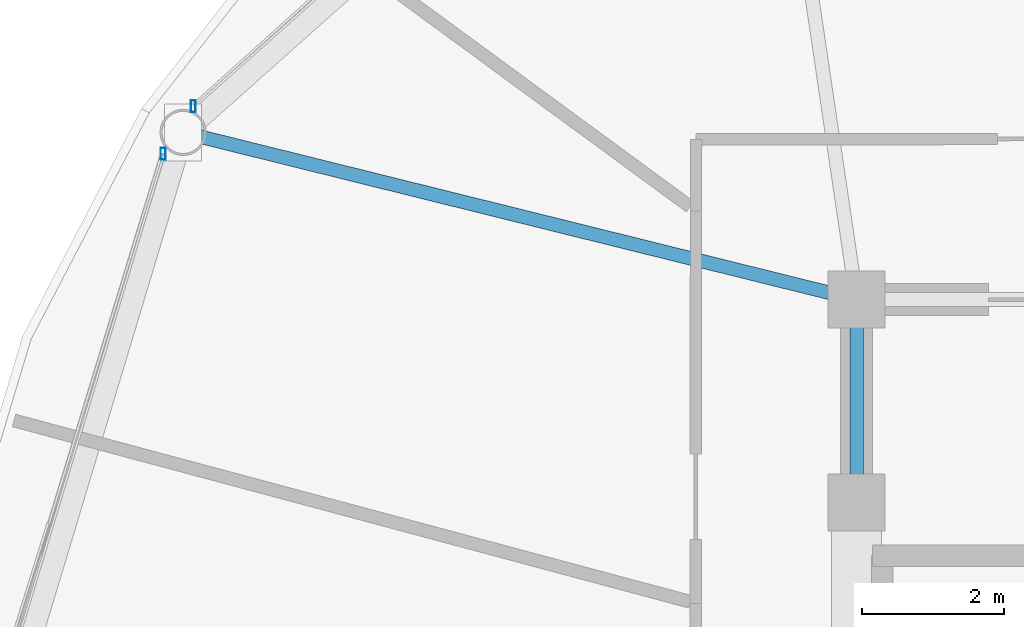
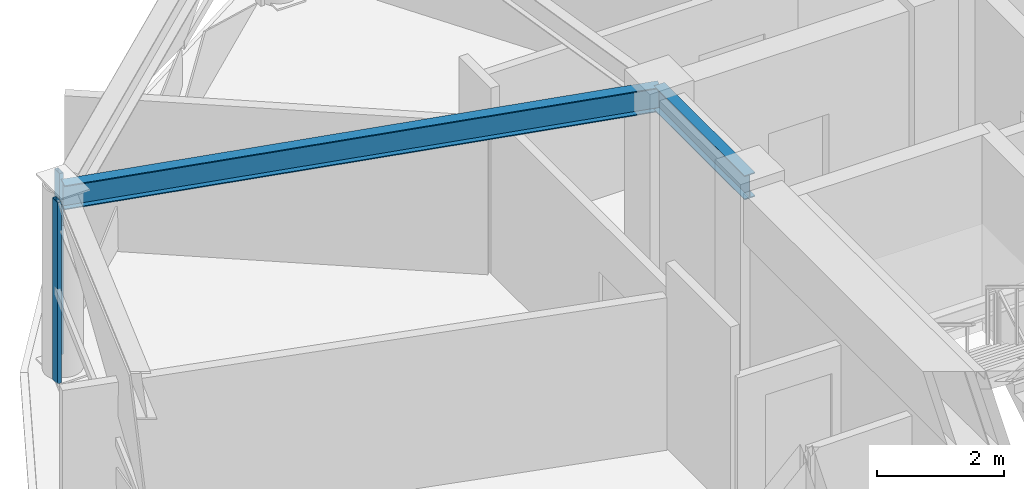
# One storey, part 9 of 28: 2 beams, 2 members, 2 elements without a shape of their own.
"""IFC4 building model written with IfcOpenShell, lengths in metres."""

from ifc_helpers import new_model, si_unit, direction, frame, origin, origin_2d, place, context, subcontext, project, spatial, hollow_rectangle, i_section, extrude, material, layer, layer_set, material_profile, profile_set, type_object, element, aggregate, save


model = new_model("IFC4")

# Units and contexts
model_context = context("Model", 3, precision=1e-05, world=origin(), true_north=direction((0.0, 1.0)))
body_context = subcontext(model_context, "Body", "Model", "MODEL_VIEW")
ifc_project = project(units=[si_unit("LENGTHUNIT", "METRE"), si_unit("AREAUNIT", "SQUARE_METRE"), si_unit("VOLUMEUNIT", "CUBIC_METRE"), si_unit("PLANEANGLEUNIT", "RADIAN"), si_unit("MASSUNIT", "GRAM", prefix="KILO")], contexts=[model_context])

# Site, building, storey
site_placement = place(None, origin())
site = spatial("IfcSite", under=ifc_project, at=site_placement, CompositionType="ELEMENT")
building_placement = place(site_placement, origin())
building = spatial("IfcBuilding", under=site, at=building_placement, Name="Vantalir Tower", CompositionType="ELEMENT")
storey_placement = place(building_placement, frame((0.0, 0.0, 223.64990234375)))
storey = spatial("IfcBuildingStorey", under=building, at=storey_placement, Name="L56", CompositionType="ELEMENT", Elevation=223.64990234375)

# Beams
ifc_material_1 = material(Name="Steel S355", Category="steel")
ifc_material_profile_1 = material_profile(ifc_material_1, i_section(OverallWidth=0.19189453125, OverallDepth=0.462890625, WebThickness=0.010498046875, FlangeThickness=0.017578125, at=origin_2d()), Name="Steel S355")
ifc_profile_set_1 = profile_set([ifc_material_profile_1], Name="Steel S355")
beam_type = type_object("IfcBeamType", Name="BM-RB-457x191", PredefinedType="BEAM", material=ifc_profile_set_1)
beam_1_placement = place(storey_placement, frame((21.89990234375, 32.449951171875, 3.338134765625), z_axis=(0.0, -1.0, 0.0), x_axis=(1.0, 0.0, 0.0)))
element("IfcBeam", 1, at=beam_1_placement, inside=storey, type_object=beam_type, Name="L56 Core Coupling Girder 12", PredefinedType="BEAM", context=body_context, shape_type="SweptSolid", body=[
    extrude(i_section(OverallWidth=0.19189453125, OverallDepth=0.462890625, WebThickness=0.010498046875, FlangeThickness=0.017578125, at=origin_2d()), origin(), (0.0, 0.0, 1.0), 2.849853515625),
])
beam_2_placement = place(storey_placement, frame((12.43603515625, 34.798095703125, 3.338134765625), z_axis=(0.970571038556, -0.240814989393, 0.0), x_axis=(0.240814989393, 0.970571038556, 0.0)))
element("IfcBeam", 2, at=beam_2_placement, inside=storey, type_object=beam_type, Name="L56 Radial Floor Beam 06", PredefinedType="BEAM", context=body_context, shape_type="SweptSolid", body=[
    extrude(i_section(OverallWidth=0.19189453125, OverallDepth=0.462890625, WebThickness=0.010498046875, FlangeThickness=0.017578125, at=origin_2d()), origin(), (0.0, 0.0, 1.0), 9.750732421875),
])

# Curtain wall, member
ifc_material_2 = material(Name="Champagne-silver PVDF aluminium and double-silver Low-E glass", Category="aluminium")
ifc_layer = layer(ifc_material_2, 0.2099609375)
ifc_layer_set = layer_set([ifc_layer], Name="Champagne-silver PVDF aluminium and double-silver Low-E glass")
curtain_wall_type = type_object("IfcCurtainWallType", Name="CW-DIAMOND-Z3", PredefinedType="USERDEFINED", material=ifc_layer_set)
curtain_wall_1_placement = place(storey_placement, origin())
curtain_wall_1 = element("IfcCurtainWall", 3, at=curtain_wall_1_placement, inside=storey, type_object=curtain_wall_type, Name="L56 Quilted Pyramid-Diamond Curtain Wall S05", ObjectType="UNITISED CURTAIN WALL", PredefinedType="USERDEFINED")
ifc_material_3 = material(Name="Champagne-silver PVDF aluminium 6063-T6", Category="aluminium")
ifc_material_profile_2 = material_profile(ifc_material_3, hollow_rectangle(XDim=0.070068359375, YDim=0.1650390625, WallThickness=0.00390625, at=origin_2d()), Name="Champagne-silver PVDF aluminium 6063-T6")
ifc_profile_set_2 = profile_set([ifc_material_profile_2], Name="Champagne-silver PVDF aluminium 6063-T6")
member_type = type_object("IfcMemberType", Name="CWM-165x70", PredefinedType="MULLION", material=ifc_profile_set_2)
member_1_placement = place(storey_placement, frame((12.577880859375, 35.166015625, 0.045166015625), z_axis=(0.0, 0.0, 1.0), x_axis=(1.0, 0.0, 0.0)))
member_1 = element("IfcMember", 4, at=member_1_placement, type_object=member_type, Name="CW-L56-S05 Mullion 2", PredefinedType="MULLION", context=body_context, shape_type="SweptSolid", body=[
    extrude(hollow_rectangle(XDim=0.070068359375, YDim=0.1650390625, WallThickness=0.00390625, at=origin_2d()), origin(), (0.0, 0.0, 1.0), 3.47998046875),
])
aggregate(curtain_wall_1, [member_1])

curtain_wall_2_placement = place(storey_placement, origin())
curtain_wall_2 = element("IfcCurtainWall", 5, at=curtain_wall_2_placement, inside=storey, type_object=curtain_wall_type, Name="L56 Quilted Pyramid-Diamond Curtain Wall S06", ObjectType="UNITISED CURTAIN WALL", PredefinedType="USERDEFINED")
member_2_placement = place(storey_placement, frame((12.154052734375, 34.5, 0.045166015625), z_axis=(0.0, 0.0, 1.0), x_axis=(1.0, 0.0, 0.0)))
member_2 = element("IfcMember", 6, at=member_2_placement, type_object=member_type, Name="CW-L56-S06 Mullion 1", PredefinedType="MULLION", context=body_context, shape_type="SweptSolid", body=[
    extrude(hollow_rectangle(XDim=0.070068359375, YDim=0.1650390625, WallThickness=0.00390625, at=origin_2d()), origin(), (0.0, 0.0, 1.0), 3.47998046875),
])
aggregate(curtain_wall_2, [member_2])

save(model, "model.ifc")
